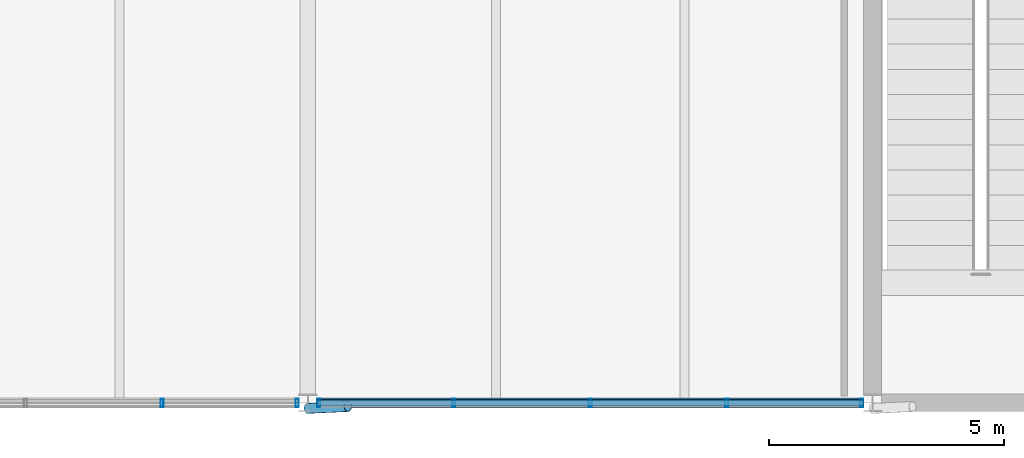
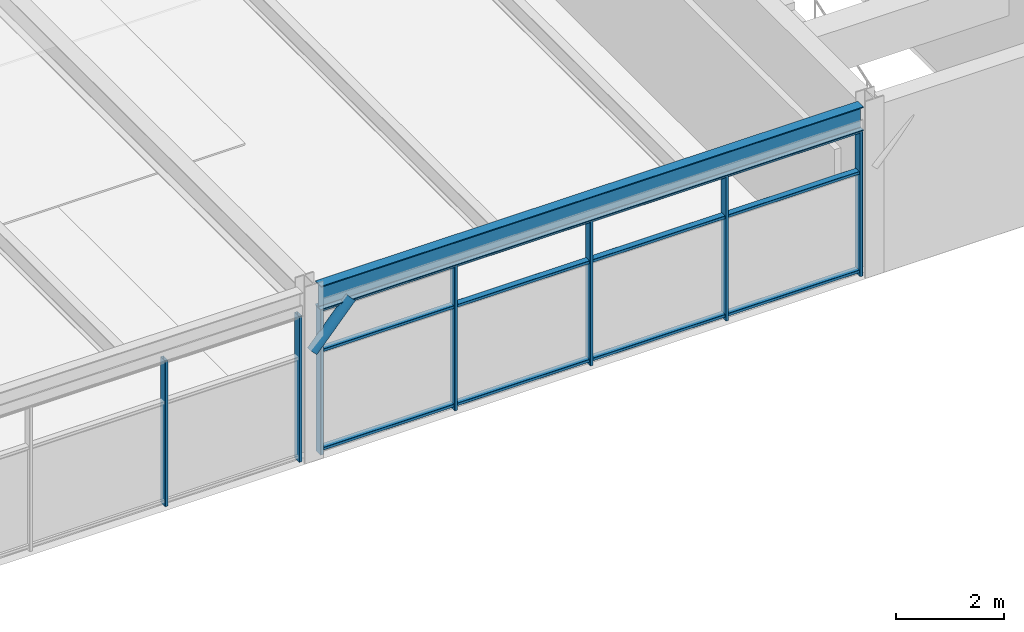
# One storey, part 13 of 49: 11 members, 1 beam, 2 elements without a shape of their own.
"""IFC4 building model written with IfcOpenShell, lengths in metres."""

from ifc_helpers import new_model, si_unit, direction, frame, origin, origin_2d, place, context, subcontext, project, spatial, hollow_rectangle, hollow_circle, i_section, extrude, material, material_profile, profile_set, type_object, element, aggregate, save


model = new_model("IFC4")

# Units and contexts
model_context = context("Model", 3, precision=1e-05, world=origin(), true_north=direction((0.0, 1.0)))
body_context = subcontext(model_context, "Body", "Model", "MODEL_VIEW")
ifc_project = project(units=[si_unit("LENGTHUNIT", "METRE"), si_unit("AREAUNIT", "SQUARE_METRE"), si_unit("VOLUMEUNIT", "CUBIC_METRE"), si_unit("PLANEANGLEUNIT", "RADIAN"), si_unit("MASSUNIT", "GRAM", prefix="KILO")], contexts=[model_context])

# Site, building, storey
site_placement = place(None, origin())
site = spatial("IfcSite", under=ifc_project, at=site_placement, CompositionType="ELEMENT")
building_placement = place(site_placement, origin())
building = spatial("IfcBuilding", under=site, at=building_placement, Name="Girod Span Mobility Hub", CompositionType="ELEMENT")
storey_placement = place(building_placement, frame((0.0, 0.0, 37.60009765625)))
storey = spatial("IfcBuildingStorey", under=building, at=storey_placement, Name="L09", CompositionType="ELEMENT", Elevation=37.60009765625)

# Beam
ifc_material_1 = material(Name="Steel A992 Grade 50", Category="steel")
ifc_material_profile_1 = material_profile(ifc_material_1, i_section(OverallWidth=0.2119140625, OverallDepth=0.5439453125, WebThickness=0.01318359375, FlangeThickness=0.021240234375, FilletRadius=0.014892578125, at=origin_2d()), Name="W21X83")
ifc_profile_set_1 = profile_set([ifc_material_profile_1], Name="Steel A992 Grade 50")
beam_type = type_object("IfcBeamType", Name="BM-STL-W21X83", PredefinedType="SPANDREL", material=ifc_profile_set_1)
beam_placement = place(storey_placement, frame((60.194091796875, 27.0, 3.56298828125), z_axis=(1.0, 0.0, 0.0), x_axis=(0.0, 1.0, 0.0)))
element("IfcBeam", 1, at=beam_placement, inside=storey, type_object=beam_type, Name="Girder 6-7/C L09", PredefinedType="SPANDREL", context=body_context, shape_type="SweptSolid", body=[
    extrude(i_section(OverallWidth=0.2119140625, OverallDepth=0.5439453125, WebThickness=0.01318359375, FlangeThickness=0.021240234375, FilletRadius=0.014892578125, at=origin_2d()), origin(), (0.0, 0.0, 1.0), 11.61181640625),
])

# Curtain wall, members
ifc_material_2 = material(Name="Thermally Broken Anodised Aluminium", Category="aluminium")
curtain_wall_type = type_object("IfcCurtainWallType", Name="CW-1161X329", PredefinedType="USERDEFINED", material=ifc_material_2)
curtain_wall_1_placement = place(storey_placement, origin())
curtain_wall_1 = element("IfcCurtainWall", 2, at=curtain_wall_1_placement, inside=storey, type_object=curtain_wall_type, Name="Unitised Curtain Wall CW-L09-S05 L09", ObjectType="UNITISED CURTAIN WALL", PredefinedType="USERDEFINED")
ifc_material_3 = material(Name="Thermally Broken Anodised Aluminium", Category="aluminium")
ifc_material_profile_2 = material_profile(ifc_material_3, hollow_rectangle(XDim=0.179931640625, YDim=0.06494140625, WallThickness=0.00390625, InnerFilletRadius=0.00390625, OuterFilletRadius=0.008056640625, at=origin_2d()), Name="CW-ML-65X180")
ifc_profile_set_2 = profile_set([ifc_material_profile_2], Name="Thermally Broken Anodised Aluminium")
member_type_1 = type_object("IfcMemberType", Name="CWM-ML-2", PredefinedType="MULLION", material=ifc_profile_set_2)
member_1_placement = place(storey_placement, frame((56.902587890625, 27.0, 0.0), z_axis=(0.0, 0.0, 1.0), x_axis=(0.0, 1.0, 0.0)))
member_1 = element("IfcMember", 3, at=member_1_placement, type_object=member_type_1, Name="Curtain Wall Mullion CW-L09-S05-M3", PredefinedType="MULLION", context=body_context, shape_type="SweptSolid", body=[
    extrude(hollow_rectangle(XDim=0.179931640625, YDim=0.06494140625, WallThickness=0.00390625, InnerFilletRadius=0.00390625, OuterFilletRadius=0.008056640625, at=origin_2d()), origin(), (0.0, 0.0, 1.0), 3.291015625),
])
member_2_placement = place(storey_placement, frame((59.77294921875, 27.0, 0.0), z_axis=(0.0, 0.0, 1.0), x_axis=(0.0, 1.0, 0.0)))
member_2 = element("IfcMember", 4, at=member_2_placement, type_object=member_type_1, Name="Curtain Wall Mullion CW-L09-S05-M4", PredefinedType="MULLION", context=body_context, shape_type="SweptSolid", body=[
    extrude(hollow_rectangle(XDim=0.179931640625, YDim=0.06494140625, WallThickness=0.00390625, InnerFilletRadius=0.00390625, OuterFilletRadius=0.008056640625, at=origin_2d()), origin(), (0.0, 0.0, 1.0), 3.291015625),
])
aggregate(curtain_wall_1, [member_1, member_2])

curtain_wall_2_placement = place(storey_placement, origin())
curtain_wall_2 = element("IfcCurtainWall", 5, at=curtain_wall_2_placement, inside=storey, type_object=curtain_wall_type, Name="Unitised Curtain Wall CW-L09-S06 L09", ObjectType="UNITISED CURTAIN WALL", PredefinedType="USERDEFINED")
member_3_placement = place(storey_placement, frame((60.22705078125, 27.0, 0.0), z_axis=(0.0, 0.0, 1.0), x_axis=(0.0, 1.0, 0.0)))
member_3 = element("IfcMember", 6, at=member_3_placement, type_object=member_type_1, Name="Curtain Wall Mullion CW-L09-S06-M0", PredefinedType="MULLION", context=body_context, shape_type="SweptSolid", body=[
    extrude(hollow_rectangle(XDim=0.179931640625, YDim=0.06494140625, WallThickness=0.00390625, InnerFilletRadius=0.00390625, OuterFilletRadius=0.008056640625, at=origin_2d()), origin(), (0.0, 0.0, 1.0), 3.291015625),
])
member_4_placement = place(storey_placement, frame((63.097412109375, 27.0, 0.0), z_axis=(0.0, 0.0, 1.0), x_axis=(0.0, 1.0, 0.0)))
member_4 = element("IfcMember", 7, at=member_4_placement, type_object=member_type_1, Name="Curtain Wall Mullion CW-L09-S06-M1", PredefinedType="MULLION", context=body_context, shape_type="SweptSolid", body=[
    extrude(hollow_rectangle(XDim=0.179931640625, YDim=0.06494140625, WallThickness=0.00390625, InnerFilletRadius=0.00390625, OuterFilletRadius=0.008056640625, at=origin_2d()), origin(), (0.0, 0.0, 1.0), 3.291015625),
])
member_5_placement = place(storey_placement, frame((66.0, 27.0, 0.0), z_axis=(0.0, 0.0, 1.0), x_axis=(0.0, 1.0, 0.0)))
member_5 = element("IfcMember", 8, at=member_5_placement, type_object=member_type_1, Name="Curtain Wall Mullion CW-L09-S06-M2", PredefinedType="MULLION", context=body_context, shape_type="SweptSolid", body=[
    extrude(hollow_rectangle(XDim=0.179931640625, YDim=0.06494140625, WallThickness=0.00390625, InnerFilletRadius=0.00390625, OuterFilletRadius=0.008056640625, at=origin_2d()), origin(), (0.0, 0.0, 1.0), 3.291015625),
])
member_6_placement = place(storey_placement, frame((68.902587890625, 27.0, 0.0), z_axis=(0.0, 0.0, 1.0), x_axis=(0.0, 1.0, 0.0)))
member_6 = element("IfcMember", 9, at=member_6_placement, type_object=member_type_1, Name="Curtain Wall Mullion CW-L09-S06-M3", PredefinedType="MULLION", context=body_context, shape_type="SweptSolid", body=[
    extrude(hollow_rectangle(XDim=0.179931640625, YDim=0.06494140625, WallThickness=0.00390625, InnerFilletRadius=0.00390625, OuterFilletRadius=0.008056640625, at=origin_2d()), origin(), (0.0, 0.0, 1.0), 3.291015625),
])
member_7_placement = place(storey_placement, frame((71.77294921875, 27.0, 0.0), z_axis=(0.0, 0.0, 1.0), x_axis=(0.0, 1.0, 0.0)))
member_7 = element("IfcMember", 10, at=member_7_placement, type_object=member_type_1, Name="Curtain Wall Mullion CW-L09-S06-M4", PredefinedType="MULLION", context=body_context, shape_type="SweptSolid", body=[
    extrude(hollow_rectangle(XDim=0.179931640625, YDim=0.06494140625, WallThickness=0.00390625, InnerFilletRadius=0.00390625, OuterFilletRadius=0.008056640625, at=origin_2d()), origin(), (0.0, 0.0, 1.0), 3.291015625),
])
ifc_material_4 = material(Name="Thermally Broken Anodised Aluminium", Category="aluminium")
ifc_material_profile_3 = material_profile(ifc_material_4, hollow_rectangle(XDim=0.135009765625, YDim=0.06494140625, WallThickness=0.00390625, InnerFilletRadius=0.00390625, OuterFilletRadius=0.008056640625, at=origin_2d()), Name="CW-TR-65X135")
ifc_profile_set_3 = profile_set([ifc_material_profile_3], Name="Thermally Broken Anodised Aluminium")
member_type_2 = type_object("IfcMemberType", Name="CWM-TR-2", PredefinedType="USERDEFINED", material=ifc_profile_set_3)
member_8_placement = place(storey_placement, frame((60.195068359375, 27.0, 0.107421875), z_axis=(1.0, 0.0, 0.0), x_axis=(0.0, 1.0, 0.0)))
member_8 = element("IfcMember", 11, at=member_8_placement, type_object=member_type_2, Name="Curtain Wall Transom CW-L09-S06-T1", ObjectType="TRANSOM", PredefinedType="USERDEFINED", context=body_context, shape_type="SweptSolid", body=[
    extrude(hollow_rectangle(XDim=0.135009765625, YDim=0.06494140625, WallThickness=0.00390625, InnerFilletRadius=0.00390625, OuterFilletRadius=0.008056640625, at=origin_2d()), origin(), (0.0, 0.0, 1.0), 11.60986328125),
])
member_9_placement = place(storey_placement, frame((60.195068359375, 27.0, 2.3369140625), z_axis=(1.0, 0.0, 0.0), x_axis=(0.0, 1.0, 0.0)))
member_9 = element("IfcMember", 12, at=member_9_placement, type_object=member_type_2, Name="Curtain Wall Transom CW-L09-S06-T2", ObjectType="TRANSOM", PredefinedType="USERDEFINED", context=body_context, shape_type="SweptSolid", body=[
    extrude(hollow_rectangle(XDim=0.135009765625, YDim=0.06494140625, WallThickness=0.00390625, InnerFilletRadius=0.00390625, OuterFilletRadius=0.008056640625, at=origin_2d()), origin(), (0.0, 0.0, 1.0), 11.60986328125),
])
member_10_placement = place(storey_placement, frame((60.195068359375, 27.0, 3.25830078125), z_axis=(1.0, 0.0, 0.0), x_axis=(0.0, 1.0, 0.0)))
member_10 = element("IfcMember", 13, at=member_10_placement, type_object=member_type_2, Name="Curtain Wall Transom CW-L09-S06-T3", ObjectType="TRANSOM", PredefinedType="USERDEFINED", context=body_context, shape_type="SweptSolid", body=[
    extrude(hollow_rectangle(XDim=0.135009765625, YDim=0.06494140625, WallThickness=0.00390625, InnerFilletRadius=0.00390625, OuterFilletRadius=0.008056640625, at=origin_2d()), origin(), (0.0, 0.0, 1.0), 11.60986328125),
])
aggregate(curtain_wall_2, [member_3, member_4, member_5, member_6, member_7, member_8, member_9, member_10])

# Member
ifc_material_5 = material(Name="Steel HSS A500 Grade C", Category="steel")
ifc_material_profile_4 = material_profile(ifc_material_5, hollow_circle(Radius=0.109619140625, WallThickness=0.0087890625, at=origin_2d()), Name="HSS219X9.5")
ifc_profile_set_4 = profile_set([ifc_material_profile_4], Name="Steel HSS A500 Grade C")
member_type_3 = type_object("IfcMemberType", Name="MB-ST-HSS219", PredefinedType="STRUT", material=ifc_profile_set_4)
member_11_placement = place(storey_placement, frame((60.0, 26.8798828125, 2.449951171875), z_axis=(0.684284972261, 0.032229389848, 0.728502122967), x_axis=(-0.047047213483, 0.998892666758, 0.0)))
element("IfcMember", 14, at=member_11_placement, inside=storey, type_object=member_type_3, Name="Solar Shading Knee Strut 6 L09", PredefinedType="STRUT", context=body_context, shape_type="SweptSolid", body=[
    extrude(hollow_circle(Radius=0.109619140625, WallThickness=0.0087890625, at=origin_2d()), origin(), (0.0, 0.0, 1.0), 1.242431640625),
])

save(model, "model.ifc")
